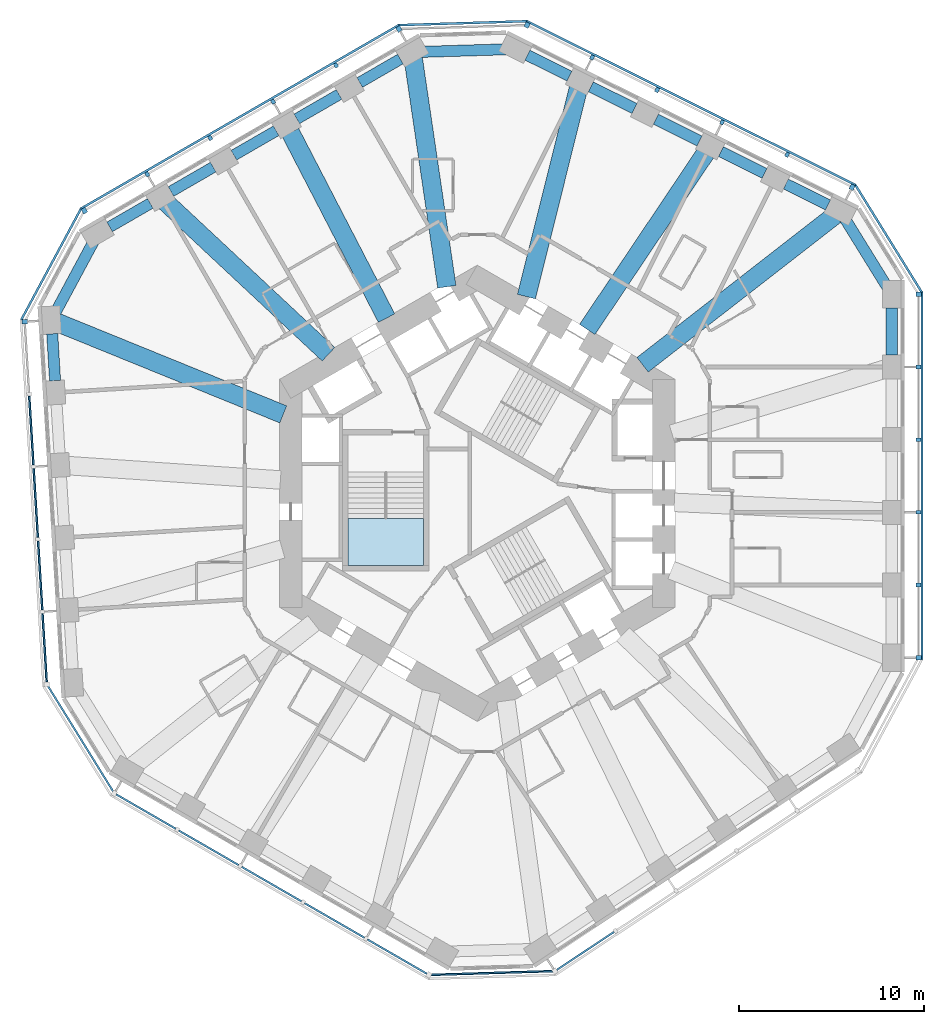
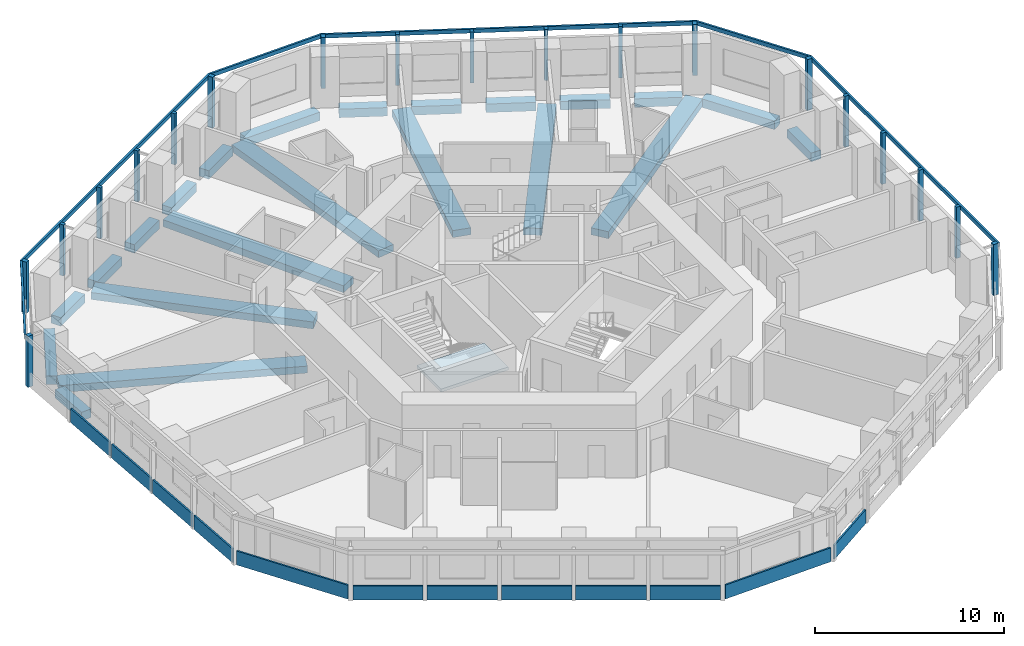
# One storey, part 2 of 12: 25 members, 22 beams, 12 plates, 1 slab, 12 elements without a shape of their own.
"""IFC4 building model written with IfcOpenShell, lengths in metres."""

import ifcopenshell
import ifcopenshell.guid

model = None  # the IFC model being written
_history = None  # IfcOwnerHistory: only IFC2X3 demands one
_inside = {}  # id of a spatial element -> (the spatial element, [elements in it])
_under = {}  # id of a project, library or spatial element -> (it, [spatial elements below it])
_declared = {}  # id of a project -> (the project, [libraries it declares])
_typed = {}  # id of a type object -> (the type object, [elements of that type])
_made_of = {}  # id of a material, layer set ... -> (it, [elements and type objects made of it])


def new_model(schema):
    """Start an empty IFC model of exactly this schema.

    Asked for "IFC4X3", IfcOpenShell would pick the latest addendum, in which some entities
    have other attributes; the version numbers below select the first issue.
    IFC2X3 requires an IfcOwnerHistory on every rooted entity: one is made here for all.
    """
    global model, _history
    if schema == "IFC4X3":
        model = ifcopenshell.file(schema_version=(4, 3, 0, 0))
    else:
        model = ifcopenshell.file(schema=schema)
    _inside.clear()
    _under.clear()
    _declared.clear()
    _typed.clear()
    _made_of.clear()
    _history = None
    if model.schema == "IFC2X3":
        org = make("IfcOrganization", Name="unknown")
        user = make(
            "IfcPersonAndOrganization",
            ThePerson=make("IfcPerson", FamilyName="unknown"),
            TheOrganization=org,
        )
        app = make(
            "IfcApplication",
            ApplicationDeveloper=org,
            Version="unknown",
            ApplicationFullName="unknown",
            ApplicationIdentifier="unknown",
        )
        _history = make(
            "IfcOwnerHistory",
            OwningUser=user,
            OwningApplication=app,
            ChangeAction="ADDED",
            CreationDate=0,
        )
    return model


def make(cls, **values):
    """One entity of the class cls with the attributes given. An attribute that is None is left unset."""
    return model.create_entity(
        cls, **{name: value for name, value in values.items() if value is not None}
    )


def rooted(cls, **values):
    """An entity with a GlobalId (a new one), such as an element, a storey or a relation."""
    return make(cls, GlobalId=ifcopenshell.guid.new(), OwnerHistory=_history, **values)


def si_unit(unit_type, name, prefix=None):
    """IfcSIUnit, for example si_unit("LENGTHUNIT", "METRE", prefix="MILLI")."""
    return make("IfcSIUnit", UnitType=unit_type, Prefix=prefix, Name=name)


def assignment(units):
    """IfcUnitAssignment: the units of a project."""
    return None if units is None else make("IfcUnitAssignment", Units=units)


def point(xyz):
    """IfcCartesianPoint."""
    return None if xyz is None else make("IfcCartesianPoint", Coordinates=xyz)


def direction(xyz):
    """IfcDirection."""
    return None if xyz is None else make("IfcDirection", DirectionRatios=xyz)


def frame(location, z_axis=None, x_axis=None):
    """IfcAxis2Placement3D, a coordinate frame: its origin and axes. An axis left out is left unset."""
    return make(
        "IfcAxis2Placement3D",
        Location=point(location),
        Axis=direction(z_axis),
        RefDirection=direction(x_axis),
    )


def frame_2d(location, x_axis=None):
    """IfcAxis2Placement2D, a coordinate frame in the plane: its origin and x axis."""
    return make(
        "IfcAxis2Placement2D", Location=point(location), RefDirection=direction(x_axis)
    )


def origin():
    """The frame at (0, 0, 0) with its axes left unset."""
    return frame((0.0, 0.0, 0.0))


def origin_2d():
    """The frame at (0, 0) in the plane with its x axis left unset."""
    return frame_2d((0.0, 0.0))


def place(relative_to, where):
    """IfcLocalPlacement: puts the frame where relative to a parent placement (None: the world)."""
    return make(
        "IfcLocalPlacement", PlacementRelTo=relative_to, RelativePlacement=where
    )


def context(
    kind, dimensions, precision=None, world=None, true_north=None, identifier=None
):
    """IfcGeometricRepresentationContext, for example the 3D "Model" context."""
    return make(
        "IfcGeometricRepresentationContext",
        ContextIdentifier=identifier,
        ContextType=kind,
        CoordinateSpaceDimension=dimensions,
        Precision=precision,
        WorldCoordinateSystem=world,
        TrueNorth=true_north,
    )


def subcontext(parent, identifier, kind, view, scale=None):
    """IfcGeometricRepresentationSubContext, for example "Body" below "Model"."""
    return make(
        "IfcGeometricRepresentationSubContext",
        ContextIdentifier=identifier,
        ContextType=kind,
        ParentContext=parent,
        TargetScale=scale,
        TargetView=view,
    )


def project(units=None, contexts=None):
    """IfcProject with its units and contexts."""
    return rooted(
        "IfcProject",
        Name="project",
        RepresentationContexts=contexts,
        UnitsInContext=assignment(units),
    )


def spatial(cls, under=None, at=None, **own):
    """A site, building, storey or space (cls), placed at a placement, below another one or the project."""
    s = rooted(cls, ObjectPlacement=at, **own)
    if under is not None:
        _under.setdefault(under.id(), (under, []))[1].append(s)
    return s


def polyline(points):
    """IfcPolyline through the points."""
    return make("IfcPolyline", Points=[point(p) for p in points])


def profile(cls, at=None, kind="AREA", **sizes):
    """A parametric profile (cls). Its sizes go by their IFC names, for example OverallWidth=200.0."""
    return make(cls, ProfileType=kind, Position=at, **sizes)


def rectangle(**sizes):
    """IfcRectangleProfileDef."""
    return profile("IfcRectangleProfileDef", **sizes)


def outline(outer, holes=None, kind="AREA"):
    """IfcArbitraryClosedProfileDef: a profile drawn as a closed curve; with holes, ...WithVoids."""
    if holes is None:
        return make("IfcArbitraryClosedProfileDef", ProfileType=kind, OuterCurve=outer)
    return make(
        "IfcArbitraryProfileDefWithVoids",
        ProfileType=kind,
        OuterCurve=outer,
        InnerCurves=holes,
    )


def extrude(swept, where, along, depth):
    """IfcExtrudedAreaSolid: the profile swept, set in the frame where, extruded along a direction by depth."""
    return make(
        "IfcExtrudedAreaSolid",
        SweptArea=swept,
        Position=where,
        ExtrudedDirection=direction(along),
        Depth=depth,
    )


def shape(context_of_items, identifier, shape_type, items):
    """IfcShapeRepresentation: the items that make up one representation, for example the "Body"."""
    return make(
        "IfcShapeRepresentation",
        ContextOfItems=context_of_items,
        RepresentationIdentifier=identifier,
        RepresentationType=shape_type,
        Items=items,
    )


def material(Name=None, Category=None):
    """IfcMaterial."""
    return make("IfcMaterial", Name=Name, Category=Category)


def layer(
    of_material, thickness, ventilated=None, Name=None, Category=None, Priority=None
):
    """IfcMaterialLayer: one layer of a wall or slab, of a material (None: an air gap)."""
    return make(
        "IfcMaterialLayer",
        Material=of_material,
        LayerThickness=thickness,
        IsVentilated=ventilated,
        Name=Name,
        Category=Category,
        Priority=Priority,
    )


def layer_set(layers, Name=None):
    """IfcMaterialLayerSet."""
    return make("IfcMaterialLayerSet", MaterialLayers=layers, LayerSetName=Name)


def material_profile(
    of_material, cross_section, Name=None, Category=None, Priority=None
):
    """IfcMaterialProfile: a cross section and its material."""
    return make(
        "IfcMaterialProfile",
        Name=Name,
        Material=of_material,
        Profile=cross_section,
        Priority=Priority,
        Category=Category,
    )


def profile_set(profiles, Name=None, composite=None):
    """IfcMaterialProfileSet."""
    return make(
        "IfcMaterialProfileSet",
        Name=Name,
        MaterialProfiles=profiles,
        CompositeProfile=composite,
    )


def made_of(thing, what):
    """Note that an element or type object is made of a material, layer set ...; save() writes the relation."""
    if what is not None:
        _made_of.setdefault(what.id(), (what, []))[1].append(thing)
    return thing


def type_object(cls, material=None, **own):
    """A type object (cls), such as IfcWallType, which elements share."""
    return made_of(rooted(cls, **own), material)


def element(
    cls,
    number,
    at=None,
    inside=None,
    cuts=None,
    type_object=None,
    material=None,
    context=None,
    identifier="Body",
    shape_type=None,
    held_by="IfcProductDefinitionShape",
    body=None,
    shapes=None,
    **own,
):
    """One element of the class cls, such as IfcWall. Its Tag is "e" and its number.

    at: its placement. inside: the storey or other place that contains it. cuts: it is an
    opening in that element (IfcRelVoidsElement). A single representation is given by context,
    identifier, shape_type and body (its items); several are given by shapes. held_by: the class
    of the entity that holds the representations. save() writes the other relations.
    """
    e = rooted(cls, Tag="e%d" % number, ObjectPlacement=at, **own)
    if body is not None:
        shapes = [shape(context, identifier, shape_type, body)]
    if shapes is not None:
        e.Representation = make(held_by, Representations=shapes)
    if inside is not None:
        _inside.setdefault(inside.id(), (inside, []))[1].append(e)
    if cuts is not None:
        rooted(
            "IfcRelVoidsElement", RelatingBuildingElement=cuts, RelatedOpeningElement=e
        )
    if type_object is not None:
        _typed.setdefault(type_object.id(), (type_object, []))[1].append(e)
    return made_of(e, material)


def aggregate(whole, parts):
    """IfcRelAggregates: a whole, such as a stair, and the parts it consists of."""
    return rooted("IfcRelAggregates", RelatingObject=whole, RelatedObjects=parts)


def save(model, path):
    """Write the relations noted so far, then the file.

    IfcRelAggregates (storeys below a building ...), IfcRelContainedInSpatialStructure (elements
    in a storey), IfcRelDefinesByType, IfcRelAssociatesMaterial and IfcRelDeclares: one each for
    every whole, place, type object, material and project.
    """
    for whole, parts in _under.values():
        aggregate(whole, parts)
    for where, things in _inside.values():
        rooted(
            "IfcRelContainedInSpatialStructure",
            RelatedElements=things,
            RelatingStructure=where,
        )
    for kind, things in _typed.values():
        rooted("IfcRelDefinesByType", RelatedObjects=things, RelatingType=kind)
    for what, things in _made_of.values():
        rooted("IfcRelAssociatesMaterial", RelatedObjects=things, RelatingMaterial=what)
    for by, libraries in _declared.values():
        rooted("IfcRelDeclares", RelatingContext=by, RelatedDefinitions=libraries)
    model.write(path)


model = new_model("IFC4")

# Units and contexts
model_context = context("Model", 3, precision=1e-05, world=origin(), true_north=direction((0.0, 1.0)))
body_context = subcontext(model_context, "Body", "Model", "MODEL_VIEW")
ifc_project = project(units=[si_unit("LENGTHUNIT", "METRE"), si_unit("AREAUNIT", "SQUARE_METRE"), si_unit("VOLUMEUNIT", "CUBIC_METRE"), si_unit("PLANEANGLEUNIT", "RADIAN"), si_unit("MASSUNIT", "GRAM", prefix="KILO")], contexts=[model_context])

# Site, building, storey
site_placement = place(None, origin())
site = spatial("IfcSite", under=ifc_project, at=site_placement, CompositionType="ELEMENT")
building_placement = place(site_placement, origin())
building = spatial("IfcBuilding", under=site, at=building_placement, Name="Vanh Sen Convention Tower", CompositionType="ELEMENT")
storey_placement = place(building_placement, frame((0.0, 0.0, 47.300048828125)))
storey = spatial("IfcBuildingStorey", under=building, at=storey_placement, Name="L08", CompositionType="ELEMENT", Elevation=47.300048828125)

# Curtain wall, members
ifc_material_1 = material(Name="Concrete C50/60", Category="concrete")
curtain_wall_type = type_object("IfcCurtainWallType", Name="Outer skin hotel zone", PredefinedType="NOTDEFINED", material=ifc_material_1)
curtain_wall_1_placement = place(storey_placement, origin())
curtain_wall_1 = element("IfcCurtainWall", 1, at=curtain_wall_1_placement, inside=storey, type_object=curtain_wall_type, Name="OUTER SKIN E L08", PredefinedType="NOTDEFINED")
ifc_material_profile_1 = material_profile(ifc_material_1, rectangle(XDim=0.25, YDim=0.300048828125, at=origin_2d()), Name="Outer skin precast corner fin 250 x 300")
ifc_profile_set_1 = profile_set([ifc_material_profile_1], Name="Concrete C50/60")
member_type_1 = type_object("IfcMemberType", Name="Outer skin precast corner fin 250 x 300", PredefinedType="MULLION", material=ifc_profile_set_1)
member_1_placement = place(storey_placement, frame((23.89990234375, -8.899169921875, 0.0), z_axis=(0.0, 0.0, 1.0), x_axis=(0.0, 1.0, 0.0)))
member_1 = element("IfcMember", 2, at=member_1_placement, type_object=member_type_1, Name="OUTER SKIN CORNER FIN 1 E L08", PredefinedType="MULLION", context=body_context, shape_type="SweptSolid", body=[
    extrude(rectangle(XDim=0.25, YDim=0.300048828125, at=origin_2d()), origin(), (0.0, 0.0, 1.0), 3.300048828125),
])
member_2_placement = place(storey_placement, frame((23.89990234375, 10.773681640625, 0.0), z_axis=(0.0, 0.0, 1.0), x_axis=(0.0, 1.0, 0.0)))
member_2 = element("IfcMember", 3, at=member_2_placement, type_object=member_type_1, Name="OUTER SKIN CORNER FIN 6 E L08", PredefinedType="MULLION", context=body_context, shape_type="SweptSolid", body=[
    extrude(rectangle(XDim=0.25, YDim=0.300048828125, at=origin_2d()), origin(), (0.0, 0.0, 1.0), 3.300048828125),
])

curtain_wall_2_placement = place(storey_placement, origin())
curtain_wall_2 = element("IfcCurtainWall", 4, at=curtain_wall_2_placement, inside=storey, type_object=curtain_wall_type, Name="OUTER SKIN NE L08", PredefinedType="NOTDEFINED")
member_3_placement = place(storey_placement, frame((20.305908203125, 16.581787109375, 0.0), z_axis=(0.0, 0.0, 1.0), x_axis=(-0.894934361602, 0.44619781311, 0.0)))
member_3 = element("IfcMember", 5, at=member_3_placement, type_object=member_type_1, Name="OUTER SKIN CORNER FIN 1 NE L08", PredefinedType="MULLION", context=body_context, shape_type="SweptSolid", body=[
    extrude(rectangle(XDim=0.25, YDim=0.300048828125, at=origin_2d()), origin(), (0.0, 0.0, 1.0), 3.300048828125),
])
member_4_placement = place(storey_placement, frame((2.699951171875, 25.35986328125, 0.0), z_axis=(0.0, 0.0, 1.0), x_axis=(-0.894934361602, 0.44619781311, 0.0)))
member_4 = element("IfcMember", 6, at=member_4_placement, type_object=member_type_1, Name="OUTER SKIN CORNER FIN 6 NE L08", PredefinedType="MULLION", context=body_context, shape_type="SweptSolid", body=[
    extrude(rectangle(XDim=0.25, YDim=0.300048828125, at=origin_2d()), origin(), (0.0, 0.0, 1.0), 3.300048828125),
])

curtain_wall_3_placement = place(storey_placement, origin())
curtain_wall_3 = element("IfcCurtainWall", 7, at=curtain_wall_3_placement, inside=storey, type_object=curtain_wall_type, Name="OUTER SKIN NW L08", PredefinedType="NOTDEFINED")
member_5_placement = place(storey_placement, frame((-4.242919921875, 25.147705078125, 0.0), z_axis=(0.0, 0.0, 1.0), x_axis=(-0.866025403784, -0.5, 0.0)))
member_5 = element("IfcMember", 8, at=member_5_placement, type_object=member_type_1, Name="OUTER SKIN CORNER FIN 1 NW L08", PredefinedType="MULLION", context=body_context, shape_type="SweptSolid", body=[
    extrude(rectangle(XDim=0.25, YDim=0.300048828125, at=origin_2d()), origin(), (0.0, 0.0, 1.0), 3.300048828125),
])
member_6_placement = place(storey_placement, frame((-21.2802734375, 15.31103515625, 0.0), z_axis=(0.0, 0.0, 1.0), x_axis=(-0.866025403784, -0.5, 0.0)))
member_6 = element("IfcMember", 9, at=member_6_placement, type_object=member_type_1, Name="OUTER SKIN CORNER FIN 6 NW L08", PredefinedType="MULLION", context=body_context, shape_type="SweptSolid", body=[
    extrude(rectangle(XDim=0.25, YDim=0.300048828125, at=origin_2d()), origin(), (0.0, 0.0, 1.0), 3.300048828125),
])

# Curtain wall, member
curtain_wall_4_placement = place(storey_placement, origin())
curtain_wall_4 = element("IfcCurtainWall", 10, at=curtain_wall_4_placement, inside=storey, type_object=curtain_wall_type, Name="OUTER SKIN W L08", PredefinedType="NOTDEFINED")
member_7_placement = place(storey_placement, frame((-24.51318359375, 9.294677734375, 0.0), z_axis=(0.0, 0.0, 1.0), x_axis=(0.061048539535, -0.998134798422, 0.0)))
member_7 = element("IfcMember", 11, at=member_7_placement, type_object=member_type_1, Name="OUTER SKIN CORNER FIN 1 W L08", PredefinedType="MULLION", context=body_context, shape_type="SweptSolid", body=[
    extrude(rectangle(XDim=0.25, YDim=0.300048828125, at=origin_2d()), origin(), (0.0, 0.0, 1.0), 3.300048828125),
])

# Member
ifc_material_profile_2 = material_profile(ifc_material_1, rectangle(XDim=0.199951171875, YDim=0.25, at=origin_2d()), Name="Outer skin precast fin 200 x 250")
ifc_profile_set_2 = profile_set([ifc_material_profile_2], Name="Concrete C50/60")
member_type_2 = type_object("IfcMemberType", Name="Outer skin precast fin 200 x 250", PredefinedType="MULLION", material=ifc_profile_set_2)
member_8_placement = place(storey_placement, frame((23.89990234375, -4.964599609375, 0.0), z_axis=(0.0, 0.0, 1.0), x_axis=(0.0, 1.0, 0.0)))
member_8 = element("IfcMember", 12, at=member_8_placement, type_object=member_type_2, Name="OUTER SKIN fin 2 E L08", PredefinedType="MULLION", context=body_context, shape_type="SweptSolid", body=[
    extrude(rectangle(XDim=0.199951171875, YDim=0.25, at=origin_2d()), origin(), (0.0, 0.0, 1.0), 3.300048828125),
])

member_9_placement = place(storey_placement, frame((23.89990234375, -1.030029296875, 0.0), z_axis=(0.0, 0.0, 1.0), x_axis=(0.0, 1.0, 0.0)))
member_9 = element("IfcMember", 13, at=member_9_placement, type_object=member_type_2, Name="OUTER SKIN fin 3 E L08", PredefinedType="MULLION", context=body_context, shape_type="SweptSolid", body=[
    extrude(rectangle(XDim=0.199951171875, YDim=0.25, at=origin_2d()), origin(), (0.0, 0.0, 1.0), 3.300048828125),
])

member_10_placement = place(storey_placement, frame((23.89990234375, 2.904541015625, 0.0), z_axis=(0.0, 0.0, 1.0), x_axis=(0.0, 1.0, 0.0)))
member_10 = element("IfcMember", 14, at=member_10_placement, type_object=member_type_2, Name="OUTER SKIN fin 4 E L08", PredefinedType="MULLION", context=body_context, shape_type="SweptSolid", body=[
    extrude(rectangle(XDim=0.199951171875, YDim=0.25, at=origin_2d()), origin(), (0.0, 0.0, 1.0), 3.300048828125),
])

member_11_placement = place(storey_placement, frame((23.89990234375, 6.839111328125, 0.0), z_axis=(0.0, 0.0, 1.0), x_axis=(0.0, 1.0, 0.0)))
member_11 = element("IfcMember", 15, at=member_11_placement, type_object=member_type_2, Name="OUTER SKIN fin 5 E L08", PredefinedType="MULLION", context=body_context, shape_type="SweptSolid", body=[
    extrude(rectangle(XDim=0.199951171875, YDim=0.25, at=origin_2d()), origin(), (0.0, 0.0, 1.0), 3.300048828125),
])

member_12_placement = place(storey_placement, frame((16.78466796875, 18.33740234375, 0.0), z_axis=(0.0, 0.0, 1.0), x_axis=(-0.894934361602, 0.44619781311, 0.0)))
member_12 = element("IfcMember", 16, at=member_12_placement, type_object=member_type_2, Name="OUTER SKIN fin 2 NE L08", PredefinedType="MULLION", context=body_context, shape_type="SweptSolid", body=[
    extrude(rectangle(XDim=0.199951171875, YDim=0.25, at=origin_2d()), origin(), (0.0, 0.0, 1.0), 3.300048828125),
])

member_13_placement = place(storey_placement, frame((13.263427734375, 20.093017578125, 0.0), z_axis=(0.0, 0.0, 1.0), x_axis=(-0.894934361602, 0.44619781311, 0.0)))
member_13 = element("IfcMember", 17, at=member_13_placement, type_object=member_type_2, Name="OUTER SKIN fin 3 NE L08", PredefinedType="MULLION", context=body_context, shape_type="SweptSolid", body=[
    extrude(rectangle(XDim=0.199951171875, YDim=0.25, at=origin_2d()), origin(), (0.0, 0.0, 1.0), 3.300048828125),
])

member_14_placement = place(storey_placement, frame((9.7421875, 21.8486328125, 0.0), z_axis=(0.0, 0.0, 1.0), x_axis=(-0.894934361602, 0.44619781311, 0.0)))
member_14 = element("IfcMember", 18, at=member_14_placement, type_object=member_type_2, Name="OUTER SKIN fin 4 NE L08", PredefinedType="MULLION", context=body_context, shape_type="SweptSolid", body=[
    extrude(rectangle(XDim=0.199951171875, YDim=0.25, at=origin_2d()), origin(), (0.0, 0.0, 1.0), 3.300048828125),
])

member_15_placement = place(storey_placement, frame((6.22119140625, 23.604248046875, 0.0), z_axis=(0.0, 0.0, 1.0), x_axis=(-0.894934361602, 0.44619781311, 0.0)))
member_15 = element("IfcMember", 19, at=member_15_placement, type_object=member_type_2, Name="OUTER SKIN fin 5 NE L08", PredefinedType="MULLION", context=body_context, shape_type="SweptSolid", body=[
    extrude(rectangle(XDim=0.199951171875, YDim=0.25, at=origin_2d()), origin(), (0.0, 0.0, 1.0), 3.300048828125),
])

member_16_placement = place(storey_placement, frame((-7.650390625, 23.180419921875, 0.0), z_axis=(0.0, 0.0, 1.0), x_axis=(-0.866025403784, -0.5, 0.0)))
member_16 = element("IfcMember", 20, at=member_16_placement, type_object=member_type_2, Name="OUTER SKIN fin 2 NW L08", PredefinedType="MULLION", context=body_context, shape_type="SweptSolid", body=[
    extrude(rectangle(XDim=0.199951171875, YDim=0.25, at=origin_2d()), origin(), (0.0, 0.0, 1.0), 3.300048828125),
])

member_17_placement = place(storey_placement, frame((-11.057861328125, 21.212890625, 0.0), z_axis=(0.0, 0.0, 1.0), x_axis=(-0.866025403784, -0.5, 0.0)))
member_17 = element("IfcMember", 21, at=member_17_placement, type_object=member_type_2, Name="OUTER SKIN fin 3 NW L08", PredefinedType="MULLION", context=body_context, shape_type="SweptSolid", body=[
    extrude(rectangle(XDim=0.199951171875, YDim=0.25, at=origin_2d()), origin(), (0.0, 0.0, 1.0), 3.300048828125),
])

member_18_placement = place(storey_placement, frame((-14.46533203125, 19.24560546875, 0.0), z_axis=(0.0, 0.0, 1.0), x_axis=(-0.866025403784, -0.5, 0.0)))
member_18 = element("IfcMember", 22, at=member_18_placement, type_object=member_type_2, Name="OUTER SKIN fin 4 NW L08", PredefinedType="MULLION", context=body_context, shape_type="SweptSolid", body=[
    extrude(rectangle(XDim=0.199951171875, YDim=0.25, at=origin_2d()), origin(), (0.0, 0.0, 1.0), 3.300048828125),
])

member_19_placement = place(storey_placement, frame((-17.872802734375, 17.2783203125, 0.0), z_axis=(0.0, 0.0, 1.0), x_axis=(-0.866025403784, -0.5, 0.0)))
member_19 = element("IfcMember", 23, at=member_19_placement, type_object=member_type_2, Name="OUTER SKIN fin 5 NW L08", PredefinedType="MULLION", context=body_context, shape_type="SweptSolid", body=[
    extrude(rectangle(XDim=0.199951171875, YDim=0.25, at=origin_2d()), origin(), (0.0, 0.0, 1.0), 3.300048828125),
])

ifc_material_profile_3 = material_profile(ifc_material_1, rectangle(XDim=0.1201171875, YDim=0.25, at=origin_2d()), Name="Outer skin precast spandrel band 250 x 120")
ifc_profile_set_3 = profile_set([ifc_material_profile_3], Name="Concrete C50/60")
member_type_3 = type_object("IfcMemberType", Name="Outer skin precast spandrel band 250 x 120", PredefinedType="USERDEFINED", material=ifc_profile_set_3)
member_20_placement = place(storey_placement, frame((24.0849609375, -9.024169921875, 3.175048828125), z_axis=(0.0, 1.0, 0.0), x_axis=(-1.0, 0.0, 0.0)))
member_20 = element("IfcMember", 24, at=member_20_placement, type_object=member_type_3, Name="OUTER SKIN spandrel band E L08", ObjectType="TRANSOM", PredefinedType="USERDEFINED", context=body_context, shape_type="SweptSolid", body=[
    extrude(rectangle(XDim=0.1201171875, YDim=0.25, at=origin_2d()), origin(), (0.0, 0.0, 1.0), 19.9228515625),
])

aggregate(curtain_wall_1, [member_1, member_8, member_9, member_10, member_11, member_2, member_20])

# Curtain wall, member
curtain_wall_5_placement = place(storey_placement, origin())
curtain_wall_5 = element("IfcCurtainWall", 25, at=curtain_wall_5_placement, inside=storey, type_object=curtain_wall_type, Name="OUTER SKIN CH1 L08", PredefinedType="NOTDEFINED")
member_21_placement = place(storey_placement, frame((24.07861328125, 10.88427734375, 3.175048828125), z_axis=(-0.526195864379, 0.850363400148, 0.0), x_axis=(-0.850363400148, -0.526195864379, 0.0)))
member_21 = element("IfcMember", 26, at=member_21_placement, type_object=member_type_3, Name="OUTER SKIN spandrel band CH1 L08", ObjectType="TRANSOM", PredefinedType="USERDEFINED", context=body_context, shape_type="SweptSolid", body=[
    extrude(rectangle(XDim=0.1201171875, YDim=0.25, at=origin_2d()), origin(), (0.0, 0.0, 1.0), 6.830078125),
])
aggregate(curtain_wall_5, [member_21])

# Member
member_22_placement = place(storey_placement, frame((20.500244140625, 16.69140625, 3.175048828125), z_axis=(-0.894931498167, 0.446203556227, 0.0), x_axis=(-0.446203556227, -0.894931498167, 0.0)))
member_22 = element("IfcMember", 27, at=member_22_placement, type_object=member_type_3, Name="OUTER SKIN spandrel band NE L08", ObjectType="TRANSOM", PredefinedType="USERDEFINED", context=body_context, shape_type="SweptSolid", body=[
    extrude(rectangle(XDim=0.1201171875, YDim=0.25, at=origin_2d()), origin(), (0.0, 0.0, 1.0), 19.9228515625),
])

aggregate(curtain_wall_2, [member_3, member_12, member_13, member_14, member_15, member_4, member_22])

# Curtain wall, member
curtain_wall_6_placement = place(storey_placement, origin())
curtain_wall_6 = element("IfcCurtainWall", 28, at=curtain_wall_6_placement, inside=storey, type_object=curtain_wall_type, Name="OUTER SKIN CH2 L08", PredefinedType="NOTDEFINED")
member_23_placement = place(storey_placement, frame((2.693603515625, 25.569580078125, 3.175048828125), z_axis=(-0.999533472857, -0.030542374483, 0.0), x_axis=(0.030542374483, -0.999533472857, 0.0)))
member_23 = element("IfcMember", 29, at=member_23_placement, type_object=member_type_3, Name="OUTER SKIN spandrel band CH2 L08", ObjectType="TRANSOM", PredefinedType="USERDEFINED", context=body_context, shape_type="SweptSolid", body=[
    extrude(rectangle(XDim=0.1201171875, YDim=0.25, at=origin_2d()), origin(), (0.0, 0.0, 1.0), 6.9462890625),
])
aggregate(curtain_wall_6, [member_23])

# Member
member_24_placement = place(storey_placement, frame((-4.227294921875, 25.370361328125, 3.175048828125), z_axis=(-0.866028047459, -0.499995420993, 0.0), x_axis=(0.499995420993, -0.866028047459, 0.0)))
member_24 = element("IfcMember", 30, at=member_24_placement, type_object=member_type_3, Name="OUTER SKIN spandrel band NW L08", ObjectType="TRANSOM", PredefinedType="USERDEFINED", context=body_context, shape_type="SweptSolid", body=[
    extrude(rectangle(XDim=0.1201171875, YDim=0.25, at=origin_2d()), origin(), (0.0, 0.0, 1.0), 19.923095703125),
])

aggregate(curtain_wall_3, [member_5, member_16, member_17, member_18, member_19, member_6, member_24])

# Curtain wall, member
curtain_wall_7_placement = place(storey_placement, origin())
curtain_wall_7 = element("IfcCurtainWall", 31, at=curtain_wall_7_placement, inside=storey, type_object=curtain_wall_type, Name="OUTER SKIN CH3 L08", PredefinedType="NOTDEFINED")
member_25_placement = place(storey_placement, frame((-21.46533203125, 15.410400390625, 3.175048828125), z_axis=(-0.473315186561, -0.880893145717, 0.0), x_axis=(0.880893145717, -0.473315186561, 0.0)))
member_25 = element("IfcMember", 32, at=member_25_placement, type_object=member_type_3, Name="OUTER SKIN spandrel band CH3 L08", ObjectType="TRANSOM", PredefinedType="USERDEFINED", context=body_context, shape_type="SweptSolid", body=[
    extrude(rectangle(XDim=0.1201171875, YDim=0.25, at=origin_2d()), origin(), (0.0, 0.0, 1.0), 6.829833984375),
])
aggregate(curtain_wall_7, [member_25])

# Beams
ifc_material_2 = material(Name="Concrete C50/60", Category="concrete")
ifc_material_profile_4 = material_profile(ifc_material_2, rectangle(XDim=1.0, YDim=0.449951171875, at=origin_2d()), Name="RC 1000X450")
ifc_profile_set_4 = profile_set([ifc_material_profile_4], Name="Concrete C50/60")
beam_type_1 = type_object("IfcBeamType", Name="Radial floor beam 1000 x 450", PredefinedType="BEAM", material=ifc_profile_set_4)
beam_1_placement = place(storey_placement, frame((19.41455078125, 15.093994140625, -0.47509765625), z_axis=(-0.789473256885, -0.613784959627, 0.0), x_axis=(0.613784959627, -0.789473256885, 0.0)))
element("IfcBeam", 33, at=beam_1_placement, inside=storey, type_object=beam_type_1, Name="Radial beam 04 L08", PredefinedType="BEAM", context=body_context, shape_type="SweptSolid", body=[
    extrude(rectangle(XDim=1.0, YDim=0.449951171875, at=origin_2d()), origin(), (0.0, 0.0, 1.0), 13.248779296875),
])
beam_2_placement = place(storey_placement, frame((12.374267578125, 18.4345703125, -0.47509765625), z_axis=(-0.557324389615, -0.830294842053, 0.0), x_axis=(0.830294842053, -0.557324389615, 0.0)))
element("IfcBeam", 34, at=beam_2_placement, inside=storey, type_object=beam_type_1, Name="Radial beam 05 L08", PredefinedType="BEAM", context=body_context, shape_type="SweptSolid", body=[
    extrude(rectangle(XDim=1.0, YDim=0.449951171875, at=origin_2d()), origin(), (0.0, 0.0, 1.0), 11.51708984375),
])
beam_3_placement = place(storey_placement, frame((5.47802734375, 21.921875, -0.47509765625), z_axis=(-0.242426812684, -0.97016969675, 0.0), x_axis=(0.97016969675, -0.242426812684, 0.0)))
element("IfcBeam", 35, at=beam_3_placement, inside=storey, type_object=beam_type_1, Name="Radial beam 06 L08", PredefinedType="BEAM", context=body_context, shape_type="SweptSolid", body=[
    extrude(rectangle(XDim=1.0, YDim=0.449951171875, at=origin_2d()), origin(), (0.0, 0.0, 1.0), 11.614501953125),
])
beam_4_placement = place(storey_placement, frame((-3.46923828125, 23.560791015625, -0.47509765625), z_axis=(0.145669310946, -0.989333337075, 0.0), x_axis=(0.989333337075, 0.145669310946, 0.0)))
element("IfcBeam", 36, at=beam_4_placement, inside=storey, type_object=beam_type_1, Name="Radial beam 07 L08", PredefinedType="BEAM", context=body_context, shape_type="SweptSolid", body=[
    extrude(rectangle(XDim=1.0, YDim=0.449951171875, at=origin_2d()), origin(), (0.0, 0.0, 1.0), 12.5078125),
])
beam_5_placement = place(storey_placement, frame((-10.115478515625, 19.53759765625, -0.47509765625), z_axis=(0.459758563435, -0.8880439535, 0.0), x_axis=(0.8880439535, 0.459758563435, 0.0)))
element("IfcBeam", 37, at=beam_5_placement, inside=storey, type_object=beam_type_1, Name="Radial beam 08 L08", PredefinedType="BEAM", context=body_context, shape_type="SweptSolid", body=[
    extrude(rectangle(XDim=1.0, YDim=0.449951171875, at=origin_2d()), origin(), (0.0, 0.0, 1.0), 11.317626953125),
])
beam_6_placement = place(storey_placement, frame((-16.880859375, 15.773193359375, -0.47509765625), z_axis=(0.730669888391, -0.682730923717, 0.0), x_axis=(0.682730923717, 0.730669888391, 0.0)))
element("IfcBeam", 38, at=beam_6_placement, inside=storey, type_object=beam_type_1, Name="Radial beam 09 L08", PredefinedType="BEAM", context=body_context, shape_type="SweptSolid", body=[
    extrude(rectangle(XDim=1.0, YDim=0.449951171875, at=origin_2d()), origin(), (0.0, 0.0, 1.0), 12.074951171875),
])
beam_7_placement = place(storey_placement, frame((-22.779052734375, 9.266357421875, -0.47509765625), z_axis=(0.926290168233, -0.376810992719, 0.0), x_axis=(0.376810992719, 0.926290168233, 0.0)))
element("IfcBeam", 39, at=beam_7_placement, inside=storey, type_object=beam_type_1, Name="Radial beam 10 L08", PredefinedType="BEAM", context=body_context, shape_type="SweptSolid", body=[
    extrude(rectangle(XDim=1.0, YDim=0.449951171875, at=origin_2d()), origin(), (0.0, 0.0, 1.0), 13.24853515625),
])
ifc_material_profile_5 = material_profile(ifc_material_2, rectangle(XDim=0.60009765625, YDim=0.550048828125, at=origin_2d()), Name="RC 600X550")
ifc_profile_set_5 = profile_set([ifc_material_profile_5], Name="Concrete C50/60")
beam_type_2 = type_object("IfcBeamType", Name="Spandrel beam 600 x 550", PredefinedType="SPANDREL", material=ifc_profile_set_5)
beam_8_placement = place(storey_placement, frame((22.449951171875, 7.484130859375, -0.525146484375), z_axis=(0.0, 1.0, 0.0), x_axis=(-1.0, 0.0, 0.0)))
element("IfcBeam", 40, at=beam_8_placement, inside=storey, type_object=beam_type_2, Name="Spandrel beam 05 L08", PredefinedType="SPANDREL", context=body_context, shape_type="SweptSolid", body=[
    extrude(rectangle(XDim=0.60009765625, YDim=0.550048828125, at=origin_2d()), origin(), (0.0, 0.0, 1.0), 2.544677734375),
])
beam_9_placement = place(storey_placement, frame((22.207763671875, 11.165283203125, -0.525146484375), z_axis=(-0.526233808765, 0.850339919392, 0.0), x_axis=(-0.850339919392, -0.526233808765, 0.0)))
element("IfcBeam", 41, at=beam_9_placement, inside=storey, type_object=beam_type_2, Name="Spandrel beam 06 L08", PredefinedType="SPANDREL", context=body_context, shape_type="SweptSolid", body=[
    extrude(rectangle(XDim=0.60009765625, YDim=0.550048828125, at=origin_2d()), origin(), (0.0, 0.0, 1.0), 4.38330078125),
])
beam_10_placement = place(storey_placement, frame((18.9921875, 15.616455078125, -0.525146484375), z_axis=(-0.89492552091, 0.446215544356, 0.0), x_axis=(-0.446215544356, -0.89492552091, 0.0)))
element("IfcBeam", 42, at=beam_10_placement, inside=storey, type_object=beam_type_2, Name="Spandrel beam 07 L08", PredefinedType="SPANDREL", context=body_context, shape_type="SweptSolid", body=[
    extrude(rectangle(XDim=0.60009765625, YDim=0.550048828125, at=origin_2d()), origin(), (0.0, 0.0, 1.0), 2.544677734375),
])
beam_11_placement = place(storey_placement, frame((15.560546875, 17.327392578125, -0.525146484375), z_axis=(-0.894925098079, 0.446216392379, 0.0), x_axis=(-0.446216392379, -0.894925098079, 0.0)))
element("IfcBeam", 43, at=beam_11_placement, inside=storey, type_object=beam_type_2, Name="Spandrel beam 08 L08", PredefinedType="SPANDREL", context=body_context, shape_type="SweptSolid", body=[
    extrude(rectangle(XDim=0.60009765625, YDim=0.550048828125, at=origin_2d()), origin(), (0.0, 0.0, 1.0), 2.644775390625),
])
for number, where, z_axis, x_axis, name in (
    (44, (12.039306640625, 19.0830078125, -0.525146484375), (-0.894906716461, 0.446253256383, 0.0), (-0.446253256383, -0.894906716461, 0.0), "Spandrel beam 09 L08"),
    (45, (8.51806640625, 20.838623046875, -0.525146484375), (-0.894906716461, 0.446253256383, 0.0), (-0.446253256383, -0.894906716461, 0.0), "Spandrel beam 10 L08"),
):
    element("IfcBeam", number, at=place(storey_placement, frame(where, z_axis=z_axis, x_axis=x_axis)), inside=storey, type_object=beam_type_2, Name=name, PredefinedType="SPANDREL", context=body_context, shape_type="SweptSolid", body=[
        extrude(rectangle(XDim=0.60009765625, YDim=0.550048828125, at=origin_2d()), origin(), (0.0, 0.0, 1.0), 2.64453125),
    ])
beam_12_placement = place(storey_placement, frame((4.996826171875, 22.59423828125, -0.525146484375), z_axis=(-0.89492552091, 0.446215544356, 0.0), x_axis=(-0.446215544356, -0.89492552091, 0.0)))
element("IfcBeam", 46, at=beam_12_placement, inside=storey, type_object=beam_type_2, Name="Spandrel beam 11 L08", PredefinedType="SPANDREL", context=body_context, shape_type="SweptSolid", body=[
    extrude(rectangle(XDim=0.60009765625, YDim=0.550048828125, at=origin_2d()), origin(), (0.0, 0.0, 1.0), 2.544677734375),
])
beam_13_placement = place(storey_placement, frame((1.56005859375, 24.047119140625, -0.525146484375), z_axis=(-0.99953328448, -0.030548538698, 0.0), x_axis=(0.030548538698, -0.99953328448, 0.0)))
element("IfcBeam", 47, at=beam_13_placement, inside=storey, type_object=beam_type_2, Name="Spandrel beam 12 L08", PredefinedType="SPANDREL", context=body_context, shape_type="SweptSolid", body=[
    extrude(rectangle(XDim=0.60009765625, YDim=0.550048828125, at=origin_2d()), origin(), (0.0, 0.0, 1.0), 4.58740234375),
])
beam_14_placement = place(storey_placement, frame((-4.1630859375, 23.519287109375, -0.525146484375), z_axis=(-0.866056180903, -0.499946688677, 0.0), x_axis=(0.499946688677, -0.866056180903, 0.0)))
element("IfcBeam", 48, at=beam_14_placement, inside=storey, type_object=beam_type_2, Name="Spandrel beam 13 L08", PredefinedType="SPANDREL", context=body_context, shape_type="SweptSolid", body=[
    extrude(rectangle(XDim=0.60009765625, YDim=0.550048828125, at=origin_2d()), origin(), (0.0, 0.0, 1.0), 2.544677734375),
])
for number, where, z_axis, x_axis, name in (
    (49, (-7.484130859375, 21.60205078125, -0.525146484375), (-0.866030315638, -0.499991492324, 0.0), (0.499991492324, -0.866030315638, 0.0), "Spandrel beam 14 L08"),
    (50, (-10.8916015625, 19.634765625, -0.525146484375), (-0.866030315638, -0.499991492324, 0.0), (0.499991492324, -0.866030315638, 0.0), "Spandrel beam 15 L08"),
    (51, (-14.299072265625, 17.66748046875, -0.525146484375), (-0.866030315638, -0.499991492324, 0.0), (0.499991492324, -0.866030315638, 0.0), "Spandrel beam 16 L08"),
):
    element("IfcBeam", number, at=place(storey_placement, frame(where, z_axis=z_axis, x_axis=x_axis)), inside=storey, type_object=beam_type_2, Name=name, PredefinedType="SPANDREL", context=body_context, shape_type="SweptSolid", body=[
        extrude(rectangle(XDim=0.60009765625, YDim=0.550048828125, at=origin_2d()), origin(), (0.0, 0.0, 1.0), 2.64453125),
    ])
beam_15_placement = place(storey_placement, frame((-17.70654296875, 15.7001953125, -0.525146484375), z_axis=(-0.866032197868, -0.499988232117, 0.0), x_axis=(0.499988232117, -0.866032197868, 0.0)))
element("IfcBeam", 52, at=beam_15_placement, inside=storey, type_object=beam_type_2, Name="Spandrel beam 17 L08", PredefinedType="SPANDREL", context=body_context, shape_type="SweptSolid", body=[
    extrude(rectangle(XDim=0.60009765625, YDim=0.550048828125, at=origin_2d()), origin(), (0.0, 0.0, 1.0), 2.54443359375),
])
beam_16_placement = place(storey_placement, frame((-20.773193359375, 13.64990234375, -0.525146484375), z_axis=(-0.47333237284, -0.880883911093, 0.0), x_axis=(0.880883911093, -0.47333237284, 0.0)))
element("IfcBeam", 53, at=beam_16_placement, inside=storey, type_object=beam_type_2, Name="Spandrel beam 18 L08", PredefinedType="SPANDREL", context=body_context, shape_type="SweptSolid", body=[
    extrude(rectangle(XDim=0.60009765625, YDim=0.550048828125, at=origin_2d()), origin(), (0.0, 0.0, 1.0), 4.38330078125),
])
beam_17_placement = place(storey_placement, frame((-23.020263671875, 8.639404296875, -0.525146484375), z_axis=(0.061022277531, -0.998136404328, 0.0), x_axis=(0.998136404328, 0.061022277531, 0.0)))
element("IfcBeam", 54, at=beam_17_placement, inside=storey, type_object=beam_type_2, Name="Spandrel beam 19 L08", PredefinedType="SPANDREL", context=body_context, shape_type="SweptSolid", body=[
    extrude(rectangle(XDim=0.60009765625, YDim=0.550048828125, at=origin_2d()), origin(), (0.0, 0.0, 1.0), 2.54443359375),
])

# Plate
ifc_layer_1 = layer(ifc_material_1, 0.10009765625)
ifc_layer_set_1 = layer_set([ifc_layer_1], Name="Concrete C50/60")
plate_type = type_object("IfcPlateType", Name="Outer skin precast screen panel 100", PredefinedType="CURTAIN_PANEL", material=ifc_layer_set_1)
plate_1_placement = place(storey_placement, frame((-24.15283203125, 3.40380859375, 0.0), z_axis=(0.0, 0.0, 1.0), x_axis=(0.061048539535, -0.998134798422, 0.0)))
plate_1 = element("IfcPlate", 55, at=plate_1_placement, type_object=plate_type, Name="OUTER SKIN screen panel W-2", PredefinedType="CURTAIN_PANEL", context=body_context, shape_type="SweptSolid", body=[
    extrude(rectangle(XDim=3.734619140625, YDim=0.10009765625, at=origin_2d()), origin(), (0.0, 0.0, 1.0), 0.89990234375),
])

plate_2_placement = place(storey_placement, frame((-23.91259765625, -0.523681640625, 0.0), z_axis=(0.0, 0.0, 1.0), x_axis=(0.061046797461, -0.99813490497, 0.0)))
plate_2 = element("IfcPlate", 56, at=plate_2_placement, type_object=plate_type, Name="OUTER SKIN screen panel W-3", PredefinedType="CURTAIN_PANEL", context=body_context, shape_type="SweptSolid", body=[
    extrude(rectangle(XDim=3.734619140625, YDim=0.10009765625, at=origin_2d()), origin(), (0.0, 0.0, 1.0), 0.89990234375),
])

plate_3_placement = place(storey_placement, frame((-23.67236328125, -4.45068359375, 0.0), z_axis=(0.0, 0.0, 1.0), x_axis=(0.061048539535, -0.998134798422, 0.0)))
plate_3 = element("IfcPlate", 57, at=plate_3_placement, type_object=plate_type, Name="OUTER SKIN screen panel W-4", PredefinedType="CURTAIN_PANEL", context=body_context, shape_type="SweptSolid", body=[
    extrude(rectangle(XDim=3.734619140625, YDim=0.10009765625, at=origin_2d()), origin(), (0.0, 0.0, 1.0), 0.89990234375),
])

plate_4_placement = place(storey_placement, frame((-23.43310546875, -8.365478515625, 0.0), z_axis=(0.0, 0.0, 1.0), x_axis=(0.061046797461, -0.99813490497, 0.0)))
plate_4 = element("IfcPlate", 58, at=plate_4_placement, type_object=plate_type, Name="OUTER SKIN screen panel W-5", PredefinedType="CURTAIN_PANEL", context=body_context, shape_type="SweptSolid", body=[
    extrude(rectangle(XDim=3.709716796875, YDim=0.10009765625, at=origin_2d()), origin(), (0.0, 0.0, 1.0), 0.89990234375),
])

aggregate(curtain_wall_4, [member_7, plate_1, plate_2, plate_3, plate_4])

# Curtain wall, plate
curtain_wall_8_placement = place(storey_placement, origin())
curtain_wall_8 = element("IfcCurtainWall", 59, at=curtain_wall_8_placement, inside=storey, type_object=curtain_wall_type, Name="OUTER SKIN CH4 L08", PredefinedType="NOTDEFINED")
plate_5_placement = place(storey_placement, frame((-21.484619140625, -13.295166015625, 0.0), z_axis=(0.0, 0.0, 1.0), x_axis=(0.526205018755, -0.850357735448, 0.0)))
plate_5 = element("IfcPlate", 60, at=plate_5_placement, type_object=plate_type, Name="OUTER SKIN screen panel CH4-1", PredefinedType="CURTAIN_PANEL", context=body_context, shape_type="SweptSolid", body=[
    extrude(rectangle(XDim=6.6962890625, YDim=0.10009765625, at=origin_2d()), origin(), (0.0, 0.0, 1.0), 0.89990234375),
])
aggregate(curtain_wall_8, [plate_5])

# Curtain wall, plates
curtain_wall_9_placement = place(storey_placement, origin())
curtain_wall_9 = element("IfcCurtainWall", 61, at=curtain_wall_9_placement, inside=storey, type_object=curtain_wall_type, Name="OUTER SKIN SW L08", PredefinedType="NOTDEFINED")
plate_6_placement = place(storey_placement, frame((-17.9423828125, -17.23828125, 0.0), z_axis=(0.0, 0.0, 1.0), x_axis=(0.866028021766, -0.499995465495, 0.0)))
plate_6 = element("IfcPlate", 62, at=plate_6_placement, type_object=plate_type, Name="OUTER SKIN screen panel SW-1", PredefinedType="CURTAIN_PANEL", context=body_context, shape_type="SweptSolid", body=[
    extrude(rectangle(XDim=3.709716796875, YDim=0.10009765625, at=origin_2d()), origin(), (0.0, 0.0, 1.0), 0.89990234375),
])
plate_7_placement = place(storey_placement, frame((-14.5458984375, -19.19921875, 0.0), z_axis=(0.0, 0.0, 1.0), x_axis=(0.866032385017, -0.499987907955, 0.0)))
plate_7 = element("IfcPlate", 63, at=plate_7_placement, type_object=plate_type, Name="OUTER SKIN screen panel SW-2", PredefinedType="CURTAIN_PANEL", context=body_context, shape_type="SweptSolid", body=[
    extrude(rectangle(XDim=3.734619140625, YDim=0.10009765625, at=origin_2d()), origin(), (0.0, 0.0, 1.0), 0.89990234375),
])
plate_8_placement = place(storey_placement, frame((-11.138427734375, -21.16650390625, 0.0), z_axis=(0.0, 0.0, 1.0), x_axis=(0.866028021766, -0.499995465495, 0.0)))
plate_8 = element("IfcPlate", 64, at=plate_8_placement, type_object=plate_type, Name="OUTER SKIN screen panel SW-3", PredefinedType="CURTAIN_PANEL", context=body_context, shape_type="SweptSolid", body=[
    extrude(rectangle(XDim=3.734619140625, YDim=0.10009765625, at=origin_2d()), origin(), (0.0, 0.0, 1.0), 0.89990234375),
])
plate_9_placement = place(storey_placement, frame((-7.73095703125, -23.1337890625, 0.0), z_axis=(0.0, 0.0, 1.0), x_axis=(0.866028021766, -0.499995465495, 0.0)))
plate_9 = element("IfcPlate", 65, at=plate_9_placement, type_object=plate_type, Name="OUTER SKIN screen panel SW-4", PredefinedType="CURTAIN_PANEL", context=body_context, shape_type="SweptSolid", body=[
    extrude(rectangle(XDim=3.734619140625, YDim=0.10009765625, at=origin_2d()), origin(), (0.0, 0.0, 1.0), 0.89990234375),
])
plate_10_placement = place(storey_placement, frame((-4.334228515625, -25.094970703125, 0.0), z_axis=(0.0, 0.0, 1.0), x_axis=(0.866021040428, -0.500007557478, 0.0)))
plate_10 = element("IfcPlate", 66, at=plate_10_placement, type_object=plate_type, Name="OUTER SKIN screen panel SW-5", PredefinedType="CURTAIN_PANEL", context=body_context, shape_type="SweptSolid", body=[
    extrude(rectangle(XDim=3.70947265625, YDim=0.10009765625, at=origin_2d()), origin(), (0.0, 0.0, 1.0), 0.89990234375),
])
aggregate(curtain_wall_9, [plate_6, plate_7, plate_8, plate_9, plate_10])

# Curtain wall, plate
curtain_wall_10_placement = place(storey_placement, origin())
curtain_wall_10 = element("IfcCurtainWall", 67, at=curtain_wall_10_placement, inside=storey, type_object=curtain_wall_type, Name="OUTER SKIN CH5 L08", PredefinedType="NOTDEFINED")
plate_11_placement = place(storey_placement, frame((0.793701171875, -25.98046875, 0.0), z_axis=(0.0, 0.0, 1.0), x_axis=(0.999533484231, 0.03054200224, 0.0)))
plate_11 = element("IfcPlate", 68, at=plate_11_placement, type_object=plate_type, Name="OUTER SKIN screen panel CH5-1", PredefinedType="CURTAIN_PANEL", context=body_context, shape_type="SweptSolid", body=[
    extrude(rectangle(XDim=6.580078125, YDim=0.10009765625, at=origin_2d()), origin(), (0.0, 0.0, 1.0), 0.89990234375),
])
aggregate(curtain_wall_10, [plate_11])

curtain_wall_11_placement = place(storey_placement, origin())
curtain_wall_11 = element("IfcCurtainWall", 69, at=curtain_wall_11_placement, inside=storey, type_object=curtain_wall_type, Name="OUTER SKIN SE L08", PredefinedType="NOTDEFINED")
plate_12_placement = place(storey_placement, frame((5.858154296875, -24.783447265625, 0.0), z_axis=(0.0, 0.0, 1.0), x_axis=(0.833891601892, 0.55192825285, 0.0)))
plate_12 = element("IfcPlate", 70, at=plate_12_placement, type_object=plate_type, Name="OUTER SKIN screen panel SE-1", PredefinedType="CURTAIN_PANEL", context=body_context, shape_type="SweptSolid", body=[
    extrude(rectangle(XDim=3.709716796875, YDim=0.10009765625, at=origin_2d()), origin(), (0.0, 0.0, 1.0), 0.89990234375),
])
aggregate(curtain_wall_11, [plate_12])

# Stair, slab
ifc_material_3 = material(Name="Concrete C50/60", Category="concrete")
stair_type = type_object("IfcStairType", Name="Exit stair ST2 20 risers at 165.0", PredefinedType="HALF_TURN_STAIR", material=ifc_material_3)
stair_placement = place(storey_placement, origin())
stair = element("IfcStair", 71, at=stair_placement, inside=storey, type_object=stair_type, Name="Exit stair ST2 L08", PredefinedType="HALF_TURN_STAIR")
ifc_material_4 = material(Name="Concrete C40/50", Category="concrete")
ifc_layer_2 = layer(ifc_material_4, 0.199951171875)
ifc_layer_set_2 = layer_set([ifc_layer_2], Name="Concrete C40/50")
slab_type = type_object("IfcSlabType", Name="Stair landing 200", PredefinedType="LANDING", material=ifc_layer_set_2)
slab_placement = place(storey_placement, frame((0.0, 0.0, 1.449951171875)))
slab = element("IfcSlab", 72, at=slab_placement, type_object=slab_type, Name="ST2 landing 1", PredefinedType="LANDING", context=body_context, shape_type="SweptSolid", body=[
    extrude(outline(polyline([(-7.0, -1.369384765625), (-7.0, -3.909912109375), (-2.89990234375, -3.909912109375), (-2.89990234375, -1.369384765625), (-7.0, -1.369384765625)])), origin(), (0.0, 0.0, 1.0), 0.199951171875),
])
aggregate(stair, [slab])

save(model, "model.ifc")
